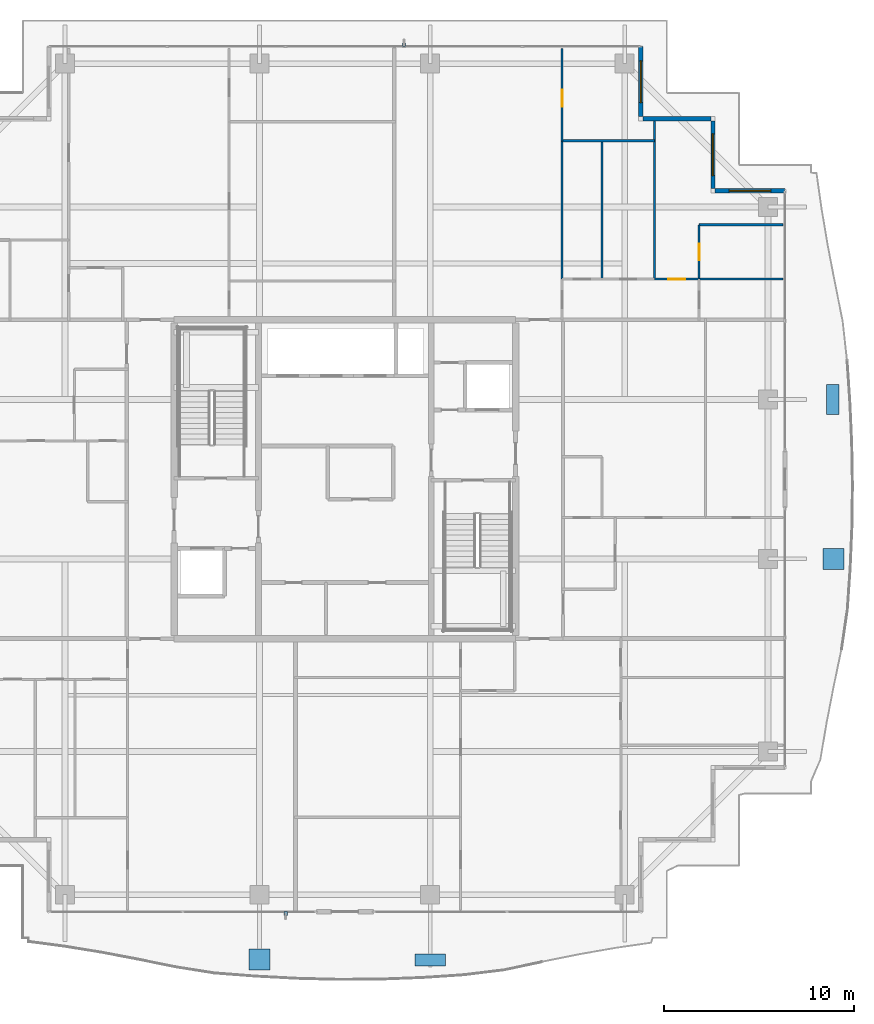
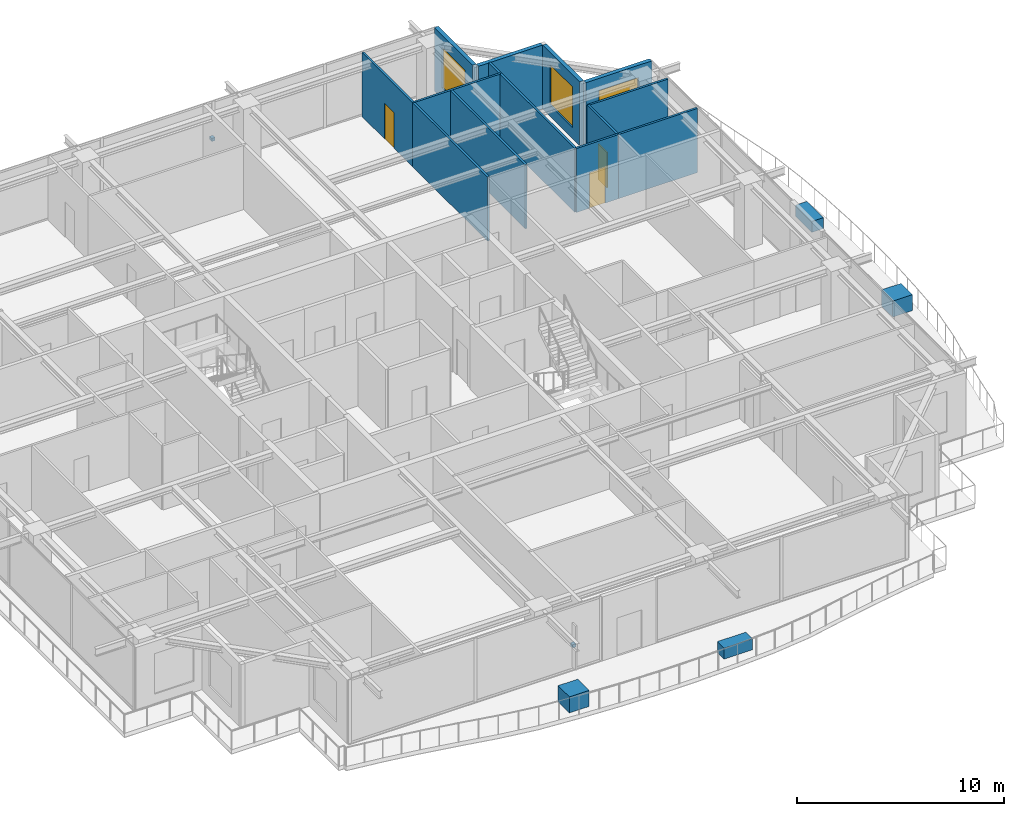
# One storey, part 34 of 41: 13 walls, 6 discrete accessories, 3 doors, 3 windows, 6 openings.
"""IFC4 building model written with IfcOpenShell, lengths in metres."""

from ifc_helpers import new_model, si_unit, direction, frame, frame_2d, origin, origin_2d, place, context, subcontext, project, spatial, rectangle, extrude, source, transform, mapped, material, layer, layer_set, type_object, element, fill, save


model = new_model("IFC4")

# Units and contexts
model_context = context("Model", 3, precision=1e-05, world=origin(), true_north=direction((0.0, 1.0)))
body_context = subcontext(model_context, "Body", "Model", "MODEL_VIEW")
ifc_project = project(units=[si_unit("LENGTHUNIT", "METRE"), si_unit("AREAUNIT", "SQUARE_METRE"), si_unit("VOLUMEUNIT", "CUBIC_METRE"), si_unit("PLANEANGLEUNIT", "RADIAN"), si_unit("MASSUNIT", "GRAM", prefix="KILO")], contexts=[model_context])

# Site, building, storey
site_placement = place(None, origin())
site = spatial("IfcSite", under=ifc_project, at=site_placement, CompositionType="ELEMENT")
building_placement = place(site_placement, origin())
building = spatial("IfcBuilding", under=site, at=building_placement, Name="Serunith Strait Residences", CompositionType="ELEMENT")
storey_placement = place(building_placement, frame((0.0, 0.0, 301.550048828125)))
storey = spatial("IfcBuildingStorey", under=building, at=storey_placement, Name="L75", CompositionType="ELEMENT", Elevation=301.550048828125)

# Wall, opening, window
ifc_material_1 = material(Name="Pale-Champagne Aluminium Insulated Panel", Category="aluminium")
ifc_layer_1 = layer(ifc_material_1, 0.219970703125, Name="Pale-Champagne Aluminium Insulated Panel")
ifc_layer_set_1 = layer_set([ifc_layer_1], Name="Pale-Champagne Aluminium Insulated Panel")
wall_type_1 = type_object("IfcWallType", Name="EW-ALUM-220", PredefinedType="ELEMENTEDWALL", material=ifc_layer_set_1)
wall_1_placement = place(storey_placement, frame((55.60009765625, 40.39990234375, 0.0), z_axis=(0.0, 0.0, 1.0), x_axis=(-1.0, 0.0, 0.0)))
wall_1 = element("IfcWall", 1, at=wall_1_placement, inside=storey, type_object=wall_type_1, Name="L75 Girih Serrated Corner Wall 07", PredefinedType="ELEMENTEDWALL", context=body_context, shape_type="SweptSolid", body=[
    extrude(rectangle(XDim=3.690185546875, YDim=0.219970703125, at=frame_2d((1.84521484375, 0.0))), origin(), (0.0, 0.0, 1.0), 3.77490234375),
])
opening_1_placement = place(wall_1_placement, frame((0.7451171875, 0.0, 0.64990234375)))
opening_1 = element("IfcOpeningElement", 2, at=opening_1_placement, cuts=wall_1, Name="Opening W-06", PredefinedType="OPENING", context=body_context, shape_type="SweptSolid", body=[
    extrude(rectangle(XDim=2.199951171875, YDim=2.39990234375, at=frame_2d((1.10009765625, 1.199951171875))), frame((0.0, 0.1201171875, 0.0), z_axis=(0.0, -1.0, 0.0), x_axis=(1.0, 0.0, 0.0)), (0.0, 0.0, 1.0), 0.239990234375),
])
ifc_material_2 = material(Name="Crown Penthouse Low-E Operable Window Glass", Category="glass")
window_type = type_object("IfcWindowType", Name="WIN-C6", PartitioningType="TRIPLE_PANEL_VERTICAL", PredefinedType="WINDOW", material=ifc_material_2)
shared_shape_1 = source(origin(), body_context, "Body", "SweptSolid", [
    extrude(rectangle(XDim=2.199951171875, YDim=2.39990234375, at=frame_2d((1.10009765625, 1.199951171875))), frame((0.0, 0.030029296875, 0.0), z_axis=(0.0, -1.0, 0.0), x_axis=(1.0, 0.0, 0.0)), (0.0, 0.0, 1.0), 0.06005859375),
])
window_1_placement = place(opening_1_placement, origin())
window_1 = element("IfcWindow", 3, at=window_1_placement, inside=storey, type_object=window_type, Name="L75 Corner Operable Fritted Window 07", OverallHeight=2.39990234375, OverallWidth=2.199951171875, PartitioningType="SINGLE_PANEL", PredefinedType="WINDOW", context=body_context, shape_type="MappedRepresentation", body=[
    mapped(shared_shape_1, transform((0.0, 0.0, 0.0), scale=1.0)),
])
fill(opening_1, window_1)

wall_2_placement = place(storey_placement, frame((51.800048828125, 40.510009765625, 0.0), z_axis=(0.0, 0.0, 1.0), x_axis=(0.0, 1.0, 0.0)))
wall_2 = element("IfcWall", 4, at=wall_2_placement, inside=storey, type_object=wall_type_1, Name="L75 Girih Serrated Corner Wall 08", PredefinedType="ELEMENTEDWALL", context=body_context, shape_type="SweptSolid", body=[
    extrude(rectangle(XDim=3.580078125, YDim=0.219970703125, at=frame_2d((1.7900390625, 0.0))), origin(), (0.0, 0.0, 1.0), 3.77490234375),
])
opening_2_placement = place(wall_2_placement, frame((0.68994140625, 0.0, 0.64990234375)))
opening_2 = element("IfcOpeningElement", 5, at=opening_2_placement, cuts=wall_2, Name="Opening W-06", PredefinedType="OPENING", context=body_context, shape_type="SweptSolid", body=[
    extrude(rectangle(XDim=2.199951171875, YDim=2.39990234375, at=frame_2d((1.10009765625, 1.199951171875))), frame((0.0, 0.1201171875, 0.0), z_axis=(0.0, -1.0, 0.0), x_axis=(1.0, 0.0, 0.0)), (0.0, 0.0, 1.0), 0.239990234375),
])
window_2_placement = place(opening_2_placement, origin())
window_2 = element("IfcWindow", 6, at=window_2_placement, inside=storey, type_object=window_type, Name="L75 Corner Operable Fritted Window 08", OverallHeight=2.39990234375, OverallWidth=2.199951171875, PartitioningType="SINGLE_PANEL", PredefinedType="WINDOW", context=body_context, shape_type="MappedRepresentation", body=[
    mapped(shared_shape_1, transform((0.0, 0.0, 0.0), scale=1.0)),
])
fill(opening_2, window_2)

# Wall
wall_3_placement = place(storey_placement, frame((51.68994140625, 44.199951171875, 0.0), z_axis=(0.0, 0.0, 1.0), x_axis=(-1.0, 0.0, 0.0)))
element("IfcWall", 7, at=wall_3_placement, inside=storey, type_object=wall_type_1, Name="L75 Girih Serrated Corner Wall 09", PredefinedType="ELEMENTEDWALL", context=body_context, shape_type="SweptSolid", body=[
    extrude(rectangle(XDim=3.579833984375, YDim=0.219970703125, at=frame_2d((1.7900390625, 0.0))), origin(), (0.0, 0.0, 1.0), 3.77490234375),
])

# Wall, opening, window
wall_4_placement = place(storey_placement, frame((48.0, 44.31005859375, 0.0), z_axis=(0.0, 0.0, 1.0), x_axis=(0.0, 1.0, 0.0)))
wall_4 = element("IfcWall", 8, at=wall_4_placement, inside=storey, type_object=wall_type_1, Name="L75 Girih Serrated Corner Wall 10", PredefinedType="ELEMENTEDWALL", context=body_context, shape_type="SweptSolid", body=[
    extrude(rectangle(XDim=3.68994140625, YDim=0.219970703125, at=frame_2d((1.844970703125, 0.0))), origin(), (0.0, 0.0, 1.0), 3.77490234375),
])
opening_3_placement = place(wall_4_placement, frame((0.7451171875, 0.0, 0.64990234375)))
opening_3 = element("IfcOpeningElement", 9, at=opening_3_placement, cuts=wall_4, Name="Opening W-06", PredefinedType="OPENING", context=body_context, shape_type="SweptSolid", body=[
    extrude(rectangle(XDim=2.199951171875, YDim=2.39990234375, at=frame_2d((1.10009765625, 1.199951171875))), frame((0.0, 0.1201171875, 0.0), z_axis=(0.0, -1.0, 0.0), x_axis=(1.0, 0.0, 0.0)), (0.0, 0.0, 1.0), 0.239990234375),
])
window_3_placement = place(opening_3_placement, origin())
window_3 = element("IfcWindow", 10, at=window_3_placement, inside=storey, type_object=window_type, Name="L75 Corner Operable Fritted Window 10", OverallHeight=2.39990234375, OverallWidth=2.199951171875, PartitioningType="SINGLE_PANEL", PredefinedType="WINDOW", context=body_context, shape_type="MappedRepresentation", body=[
    mapped(shared_shape_1, transform((0.0, 0.0, 0.0), scale=1.0)),
])
fill(opening_3, window_3)

# Wall, opening, door
ifc_material_3 = material(Name="Lightweight steel-stud gypsum partition", Category="steel")
ifc_layer_2 = layer(ifc_material_3, 0.1201171875, Name="Lightweight steel-stud gypsum partition")
ifc_layer_set_2 = layer_set([ifc_layer_2], Name="Lightweight steel-stud gypsum partition")
wall_type_2 = type_object("IfcWallType", Name="IW-PART-120", PredefinedType="PARTITIONING", material=ifc_layer_set_2)
wall_5_placement = place(storey_placement, frame((43.85009765625, 47.905029296875, 0.0), z_axis=(0.0, 0.0, 1.0), x_axis=(0.0, -1.0, 0.0)))
wall_5 = element("IfcWall", 11, at=wall_5_placement, inside=storey, type_object=wall_type_2, Name="L75 Partition Wall 069", PredefinedType="PARTITIONING", context=body_context, shape_type="SweptSolid", body=[
    extrude(rectangle(XDim=4.867919921875, YDim=0.1201171875, at=frame_2d((2.43408203125, 0.0))), origin(), (0.0, 0.0, 1.0), 3.7900390625),
])
opening_4_placement = place(wall_5_placement, frame((2.181884765625, 0.0, 0.0)))
opening_4 = element("IfcOpeningElement", 12, at=opening_4_placement, cuts=wall_5, Name="Opening D-RM900", PredefinedType="OPENING", context=body_context, shape_type="SweptSolid", body=[
    extrude(rectangle(XDim=0.89990234375, YDim=2.10009765625, at=frame_2d((0.449951171875, 1.050048828125))), frame((0.0, 0.070068359375, 0.0), z_axis=(0.0, -1.0, 0.0), x_axis=(1.0, 0.0, 0.0)), (0.0, 0.0, 1.0), 0.14013671875),
])
ifc_material_4 = material(Name="Engineered timber flush bedroom door", Category="wood")
door_type_1 = type_object("IfcDoorType", Name="ID-ROOM-900", OperationType="NOTDEFINED", PredefinedType="DOOR", material=ifc_material_4)
shared_shape_2 = source(origin(), body_context, "Body", "SweptSolid", [
    extrude(rectangle(XDim=0.89990234375, YDim=2.10009765625, at=frame_2d((0.449951171875, 1.050048828125))), frame((0.0, 0.02490234375, 0.0), z_axis=(0.0, -1.0, 0.0), x_axis=(1.0, 0.0, 0.0)), (0.0, 0.0, 1.0), 0.050048828125),
])
door_1_placement = place(opening_4_placement, origin())
door_1 = element("IfcDoor", 13, at=door_1_placement, inside=storey, type_object=door_type_1, Name="L75 Study 1 7504 Door", OperationType="SINGLE_SWING_RIGHT", OverallHeight=2.10009765625, OverallWidth=0.89990234375, PredefinedType="DOOR", context=body_context, shape_type="MappedRepresentation", body=[
    mapped(shared_shape_2, transform((0.0, 0.0, 0.0), scale=1.0)),
])
fill(opening_4, door_1)

# Walls
wall_6_placement = place(storey_placement, frame((43.85009765625, 43.034912109375, 0.0), z_axis=(0.0, 0.0, 1.0), x_axis=(0.0, -1.0, 0.0)))
element("IfcWall", 14, at=wall_6_placement, inside=storey, type_object=wall_type_2, Name="L75 Partition Wall 070", PredefinedType="PARTITIONING", context=body_context, shape_type="SweptSolid", body=[
    extrude(rectangle(XDim=7.282958984375, YDim=0.1201171875, at=frame_2d((3.6416015625, 0.0))), origin(), (0.0, 0.0, 1.0), 3.7900390625),
])
wall_7_placement = place(storey_placement, frame((43.85009765625, 43.037109375, 0.0), z_axis=(0.0, 0.0, 1.0), x_axis=(1.0, 0.0, 0.0)))
element("IfcWall", 15, at=wall_7_placement, inside=storey, type_object=wall_type_2, Name="L75 Partition Wall 071", PredefinedType="PARTITIONING", context=body_context, shape_type="SweptSolid", body=[
    extrude(rectangle(XDim=4.869873046875, YDim=0.1201171875, at=frame_2d((2.43505859375, 0.0))), origin(), (0.0, 0.0, 1.0), 3.7900390625),
])
wall_8_placement = place(storey_placement, frame((48.719970703125, 44.10498046875, 0.0), z_axis=(0.0, 0.0, 1.0), x_axis=(0.0, -1.0, 0.0)))
element("IfcWall", 16, at=wall_8_placement, inside=storey, type_object=wall_type_2, Name="L75 Partition Wall 072", PredefinedType="PARTITIONING", context=body_context, shape_type="SweptSolid", body=[
    extrude(rectangle(XDim=8.35498046875, YDim=0.1201171875, at=frame_2d((4.177490234375, 0.0))), origin(), (0.0, 0.0, 1.0), 3.7900390625),
])
wall_9_placement = place(storey_placement, frame((45.949951171875, 43.037109375, 0.0), z_axis=(0.0, 0.0, 1.0), x_axis=(0.0, -1.0, 0.0)))
element("IfcWall", 17, at=wall_9_placement, inside=storey, type_object=wall_type_2, Name="L75 Partition Wall 073", PredefinedType="PARTITIONING", context=body_context, shape_type="SweptSolid", body=[
    extrude(rectangle(XDim=7.287109375, YDim=0.1201171875, at=frame_2d((3.6435546875, 0.0))), origin(), (0.0, 0.0, 1.0), 3.7900390625),
])

# Wall, opening, door
wall_10_placement = place(storey_placement, frame((48.721923828125, 35.75, 0.0), z_axis=(0.0, 0.0, 1.0), x_axis=(1.0, 0.0, 0.0)))
wall_10 = element("IfcWall", 18, at=wall_10_placement, inside=storey, type_object=wall_type_2, Name="L75 Partition Wall 076", PredefinedType="PARTITIONING", context=body_context, shape_type="SweptSolid", body=[
    extrude(rectangle(XDim=2.34814453125, YDim=0.1201171875, at=frame_2d((1.174072265625, 0.0))), origin(), (0.0, 0.0, 1.0), 3.7900390625),
])
opening_5_placement = place(wall_10_placement, frame((0.72412109375, 0.0, 0.0)))
opening_5 = element("IfcOpeningElement", 19, at=opening_5_placement, cuts=wall_10, Name="Opening D-RM900", PredefinedType="OPENING", context=body_context, shape_type="SweptSolid", body=[
    extrude(rectangle(XDim=0.89990234375, YDim=2.10009765625, at=frame_2d((0.449951171875, 1.050048828125))), frame((0.0, 0.070068359375, 0.0), z_axis=(0.0, -1.0, 0.0), x_axis=(1.0, 0.0, 0.0)), (0.0, 0.0, 1.0), 0.14013671875),
])
door_2_placement = place(opening_5_placement, origin())
door_2 = element("IfcDoor", 20, at=door_2_placement, inside=storey, type_object=door_type_1, Name="L75 Master Bedroom E 7504 Door", OperationType="SINGLE_SWING_LEFT", OverallHeight=2.10009765625, OverallWidth=0.89990234375, PredefinedType="DOOR", context=body_context, shape_type="MappedRepresentation", body=[
    mapped(shared_shape_2, transform((0.0, 0.0, 0.0), scale=1.0)),
])
fill(opening_5, door_2)

# Walls
wall_11_placement = place(storey_placement, frame((51.070068359375, 38.60595703125, 0.0), z_axis=(0.0, 0.0, 1.0), x_axis=(1.0, 0.0, 0.0)))
element("IfcWall", 21, at=wall_11_placement, inside=storey, type_object=wall_type_2, Name="L75 Partition Wall 077", PredefinedType="PARTITIONING", context=body_context, shape_type="SweptSolid", body=[
    extrude(rectangle(XDim=4.434814453125, YDim=0.1201171875, at=frame_2d((2.21728515625, 0.0))), origin(), (0.0, 0.0, 1.0), 3.7900390625),
])
wall_12_placement = place(storey_placement, frame((51.072021484375, 35.75, 0.0), z_axis=(0.0, 0.0, 1.0), x_axis=(1.0, 0.0, 0.0)))
element("IfcWall", 22, at=wall_12_placement, inside=storey, type_object=wall_type_2, Name="L75 Partition Wall 078", PredefinedType="PARTITIONING", context=body_context, shape_type="SweptSolid", body=[
    extrude(rectangle(XDim=4.432861328125, YDim=0.1201171875, at=frame_2d((2.21630859375, 0.0))), origin(), (0.0, 0.0, 1.0), 3.7900390625),
])

# Wall, opening, door
wall_13_placement = place(storey_placement, frame((51.070068359375, 38.60595703125, 0.0), z_axis=(0.0, 0.0, 1.0), x_axis=(0.0, -1.0, 0.0)))
wall_13 = element("IfcWall", 23, at=wall_13_placement, inside=storey, type_object=wall_type_2, Name="L75 Partition Wall 079", PredefinedType="PARTITIONING", context=body_context, shape_type="SweptSolid", body=[
    extrude(rectangle(XDim=2.85595703125, YDim=0.1201171875, at=frame_2d((1.427978515625, 0.0))), origin(), (0.0, 0.0, 1.0), 3.7900390625),
])
opening_6_placement = place(wall_13_placement, frame((1.0029296875, 0.0, 0.0)))
opening_6 = element("IfcOpeningElement", 24, at=opening_6_placement, cuts=wall_13, Name="Opening D-BTH850", PredefinedType="OPENING", context=body_context, shape_type="SweptSolid", body=[
    extrude(rectangle(XDim=0.85009765625, YDim=2.10009765625, at=frame_2d((0.425048828125, 1.050048828125))), frame((0.0, 0.070068359375, 0.0), z_axis=(0.0, -1.0, 0.0), x_axis=(1.0, 0.0, 0.0)), (0.0, 0.0, 1.0), 0.14013671875),
])
ifc_material_5 = material(Name="Moisture-resistant timber bathroom door", Category="wood")
door_type_2 = type_object("IfcDoorType", Name="ID-BATH-850", OperationType="NOTDEFINED", PredefinedType="DOOR", material=ifc_material_5)
shared_shape_3 = source(origin(), body_context, "Body", "SweptSolid", [
    extrude(rectangle(XDim=0.85009765625, YDim=2.10009765625, at=frame_2d((0.425048828125, 1.050048828125))), frame((0.0, 0.02490234375, 0.0), z_axis=(0.0, -1.0, 0.0), x_axis=(1.0, 0.0, 0.0)), (0.0, 0.0, 1.0), 0.050048828125),
])
door_3_placement = place(opening_6_placement, origin())
door_3 = element("IfcDoor", 25, at=door_3_placement, inside=storey, type_object=door_type_2, Name="L75 En-suite Bathroom E 7504 Door", OperationType="SINGLE_SWING_RIGHT", OverallHeight=2.10009765625, OverallWidth=0.85009765625, PredefinedType="DOOR", context=body_context, shape_type="MappedRepresentation", body=[
    mapped(shared_shape_3, transform((0.0, 0.0, 0.0), scale=1.0)),
])
fill(opening_6, door_3)

# Discrete accessories
ifc_material_6 = material(Name="GFRC Root-Anchored Structural Planter")
discrete_accessory_type_1 = type_object("IfcDiscreteAccessoryType", Name="ACC-PLANTER-TREE", PredefinedType="USERDEFINED", material=ifc_material_6)
shared_shape_4 = source(origin(), body_context, "Body", "SweptSolid", [
    extrude(rectangle(XDim=1.10009765625, YDim=1.10009765625, at=origin_2d()), origin(), (0.0, 0.0, 1.0), 0.949951171875),
])
for number, where, z_axis, x_axis, name in (
    (26, (27.89990234375, -0.108154296875, -0.0498046875), (0.0, 0.0, 1.0), (1.0, 0.0, 0.0), "L75 Vertical-Forest Tree Planter 02"),
    (27, (58.16259765625, 21.0, -0.0498046875), (0.0, 0.0, 1.0), (0.0, 1.0, 0.0), "L75 Vertical-Forest Tree Planter 10"),
):
    element("IfcDiscreteAccessory", number, at=place(storey_placement, frame(where, z_axis=z_axis, x_axis=x_axis)), inside=storey, type_object=discrete_accessory_type_1, Name=name, ObjectType="PLANTER", PredefinedType="USERDEFINED", context=body_context, shape_type="MappedRepresentation", body=[
        mapped(shared_shape_4, transform((0.0, 0.0, 0.0), scale=1.0)),
    ])
ifc_material_7 = material(Name="GFRC Irrigated Shrub Trough Planter")
discrete_accessory_type_2 = type_object("IfcDiscreteAccessoryType", Name="ACC-PLANTER-SHRUB", PredefinedType="USERDEFINED", material=ifc_material_7)
shared_shape_5 = source(origin(), body_context, "Body", "SweptSolid", [
    extrude(rectangle(XDim=1.60009765625, YDim=0.64990234375, at=origin_2d()), origin(), (0.0, 0.0, 1.0), 0.64990234375),
])
for number, where, z_axis, x_axis, name in (
    (28, (36.89990234375, -0.1435546875, -0.050048828125), (0.0, 0.0, 1.0), (1.0, 0.0, 0.0), "L75 Vertical-Forest Shrub Planter 03"),
    (29, (58.11865234375, 29.39990234375, -0.050048828125), (0.0, 0.0, 1.0), (0.0, 1.0, 0.0), "L75 Vertical-Forest Shrub Planter 11"),
):
    element("IfcDiscreteAccessory", number, at=place(storey_placement, frame(where, z_axis=z_axis, x_axis=x_axis)), inside=storey, type_object=discrete_accessory_type_2, Name=name, ObjectType="PLANTER", PredefinedType="USERDEFINED", context=body_context, shape_type="MappedRepresentation", body=[
        mapped(shared_shape_5, transform((0.0, 0.0, 0.0), scale=1.0)),
    ])
ifc_material_8 = material(Name="Stainless Steel Facade Cleat Bracket", Category="steel")
discrete_accessory_type_3 = type_object("IfcDiscreteAccessoryType", Name="ACC-FIN-BRACKET", PredefinedType="USERDEFINED", material=ifc_material_8)
shared_shape_6 = source(origin(), body_context, "Body", "SweptSolid", [
    extrude(rectangle(XDim=0.179931640625, YDim=0.219970703125, at=origin_2d()), origin(), (0.0, 0.0, 1.0), 0.179931640625),
])
for number, where, z_axis, x_axis, name in (
    (30, (29.280029296875, 2.320068359375, 1.41015625), (0.0, 0.0, 1.0), (1.0, 0.0, 0.0), "L75 Solar Fin Cleat Bracket S"),
    (31, (35.52001953125, 48.080078125, 1.41015625), (0.0, 0.0, 1.0), (1.0, 0.0, 0.0), "L75 Solar Fin Cleat Bracket N"),
):
    element("IfcDiscreteAccessory", number, at=place(storey_placement, frame(where, z_axis=z_axis, x_axis=x_axis)), inside=storey, type_object=discrete_accessory_type_3, Name=name, ObjectType="BRACKET", PredefinedType="USERDEFINED", context=body_context, shape_type="MappedRepresentation", body=[
        mapped(shared_shape_6, transform((0.0, 0.0, 0.0), scale=1.0)),
    ])

save(model, "model.ifc")
